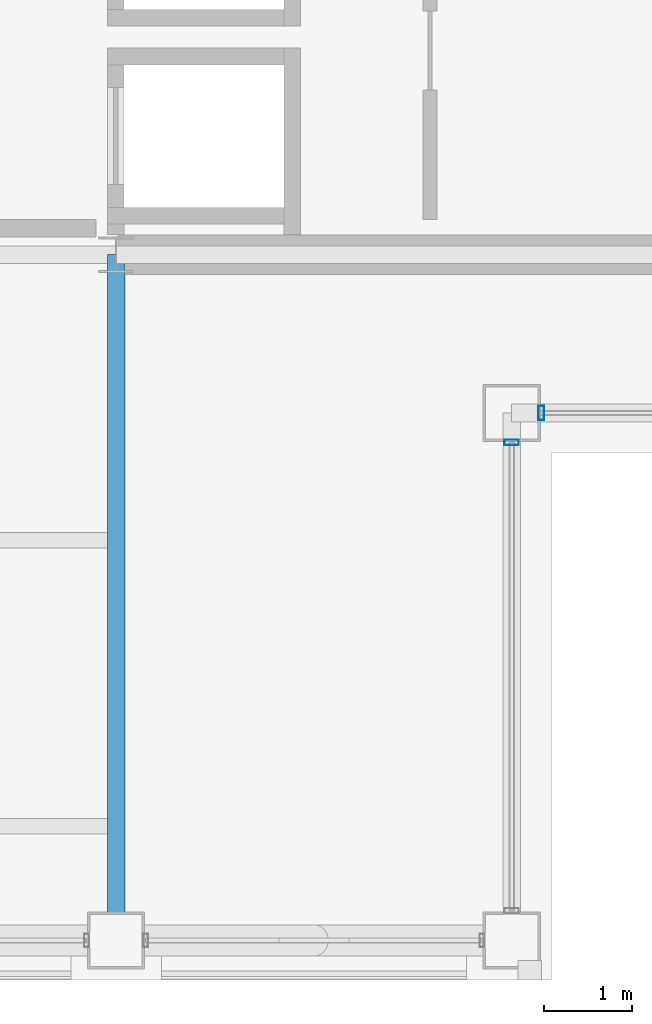
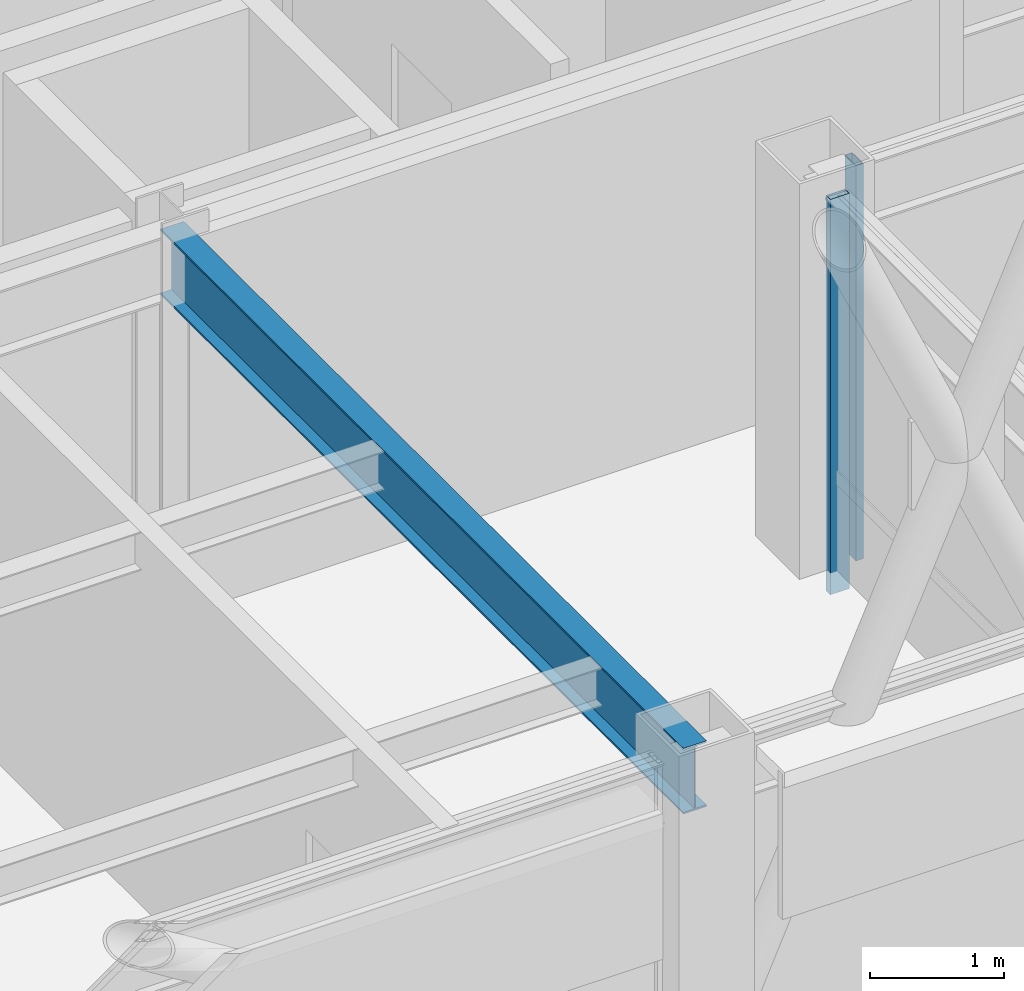
# One storey, part 9 of 30: 2 members, 1 beam, 2 elements without a shape of their own.
"""IFC4 building model written with IfcOpenShell, lengths in metres."""

from ifc_helpers import new_model, si_unit, direction, frame, origin, origin_2d, place, context, subcontext, project, spatial, hollow_rectangle, i_section, extrude, material, layer, layer_set, material_profile, profile_set, type_object, element, aggregate, save


model = new_model("IFC4")

# Units and contexts
model_context = context("Model", 3, precision=1e-05, world=origin(), true_north=direction((0.0, 1.0)))
body_context = subcontext(model_context, "Body", "Model", "MODEL_VIEW")
ifc_project = project(units=[si_unit("LENGTHUNIT", "METRE"), si_unit("AREAUNIT", "SQUARE_METRE"), si_unit("VOLUMEUNIT", "CUBIC_METRE"), si_unit("PLANEANGLEUNIT", "RADIAN"), si_unit("MASSUNIT", "GRAM", prefix="KILO")], contexts=[model_context])

# Site, building, storey
site_placement = place(None, origin())
site = spatial("IfcSite", under=ifc_project, at=site_placement, CompositionType="ELEMENT")
building_placement = place(site_placement, origin())
building = spatial("IfcBuilding", under=site, at=building_placement, Name="Brelmoor Portico Tower", CompositionType="ELEMENT")
storey_placement = place(building_placement, frame((0.0, 0.0, 236.39990234375)))
storey = spatial("IfcBuildingStorey", under=building, at=storey_placement, Name="L62", CompositionType="ELEMENT", Elevation=236.39990234375)

# Beam
ifc_material_1 = material(Name="Steel Q355B", Category="steel")
ifc_material_profile_1 = material_profile(ifc_material_1, i_section(OverallWidth=0.199951171875, OverallDepth=0.60009765625, WebThickness=0.010986328125, FlangeThickness=0.01708984375, at=origin_2d()), Name="HN 600x200x11x17")
ifc_profile_set_1 = profile_set([ifc_material_profile_1], Name="Steel Q355B")
beam_type = type_object("IfcBeamType", Name="BM-PG-600", PredefinedType="BEAM", material=ifc_profile_set_1)
beam_placement = place(storey_placement, frame((8.050048828125, -17.550048828125, 3.10009765625), z_axis=(0.0, 1.0, 0.0), x_axis=(-1.0, 0.0, 0.0)))
element("IfcBeam", 1, at=beam_placement, inside=storey, type_object=beam_type, Name="L62 Primary Floor Girder PG-06", PredefinedType="BEAM", context=body_context, shape_type="SweptSolid", body=[
    extrude(i_section(OverallWidth=0.199951171875, OverallDepth=0.60009765625, WebThickness=0.010986328125, FlangeThickness=0.01708984375, at=origin_2d()), origin(), (0.0, 0.0, 1.0), 7.800048828125),
])

# Curtain wall, member
ifc_material_2 = material(Name="Anodised Aluminium Alloy 6063-T6", Category="aluminium")
ifc_layer = layer(ifc_material_2, 0.179931640625)
ifc_layer_set = layer_set([ifc_layer], Name="Anodised Aluminium Alloy 6063-T6")
curtain_wall_type = type_object("IfcCurtainWallType", Name="CW-NOTCH-CHAMFER", PredefinedType="NOTDEFINED", material=ifc_layer_set)
curtain_wall_1_placement = place(storey_placement, origin())
curtain_wall_1 = element("IfcCurtainWall", 2, at=curtain_wall_1_placement, inside=storey, type_object=curtain_wall_type, Name="L62 Curtain Wall CWN-L62-SEH", PredefinedType="NOTDEFINED")
ifc_material_profile_2 = material_profile(ifc_material_2, hollow_rectangle(XDim=0.06494140625, YDim=0.1650390625, WallThickness=0.00390625, at=origin_2d()), Name="ALU MULLION 65x165")
ifc_profile_set_2 = profile_set([ifc_material_profile_2], Name="Anodised Aluminium Alloy 6063-T6")
member_type = type_object("IfcMemberType", Name="MB-CW-MULL-165", PredefinedType="MULLION", material=ifc_profile_set_2)
member_1_placement = place(storey_placement, frame((12.885009765625, -11.550048828125, -0.199951171875), z_axis=(0.0, 0.0, 1.0), x_axis=(1.0, 0.0, 0.0)))
member_1 = element("IfcMember", 3, at=member_1_placement, type_object=member_type, Name="CWN-L62-SEH Mullion 00", PredefinedType="MULLION", context=body_context, shape_type="SweptSolid", body=[
    extrude(hollow_rectangle(XDim=0.06494140625, YDim=0.1650390625, WallThickness=0.00390625, at=origin_2d()), origin(), (0.0, 0.0, 1.0), 3.60009765625),
])
aggregate(curtain_wall_1, [member_1])

curtain_wall_2_placement = place(storey_placement, origin())
curtain_wall_2 = element("IfcCurtainWall", 4, at=curtain_wall_2_placement, inside=storey, type_object=curtain_wall_type, Name="L62 Curtain Wall CWN-L62-SEV", PredefinedType="NOTDEFINED")
member_2_placement = place(storey_placement, frame((12.550048828125, -11.885009765625, -0.199951171875), z_axis=(0.0, 0.0, 1.0), x_axis=(0.0, 1.0, 0.0)))
member_2 = element("IfcMember", 5, at=member_2_placement, type_object=member_type, Name="CWN-L62-SEV Mullion 01", PredefinedType="MULLION", context=body_context, shape_type="SweptSolid", body=[
    extrude(hollow_rectangle(XDim=0.06494140625, YDim=0.1650390625, WallThickness=0.00390625, at=origin_2d()), origin(), (0.0, 0.0, 1.0), 3.60009765625),
])
aggregate(curtain_wall_2, [member_2])

save(model, "model.ifc")
